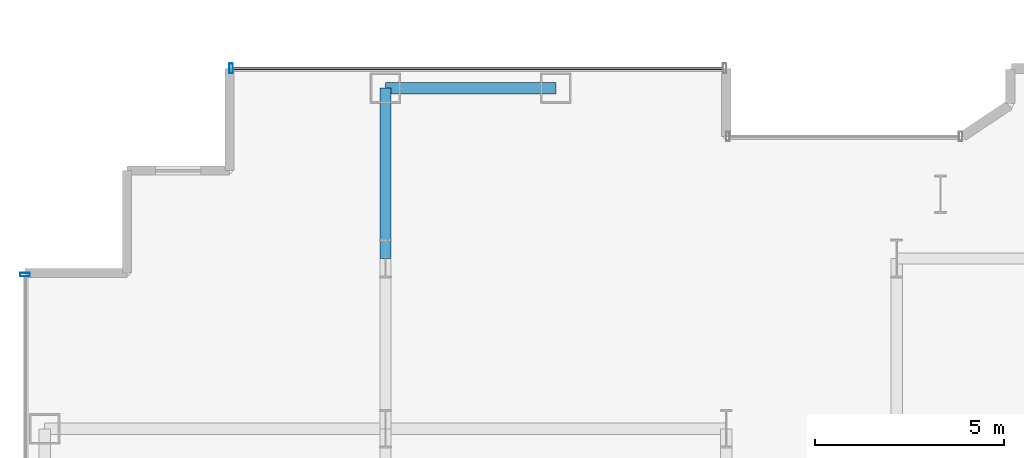
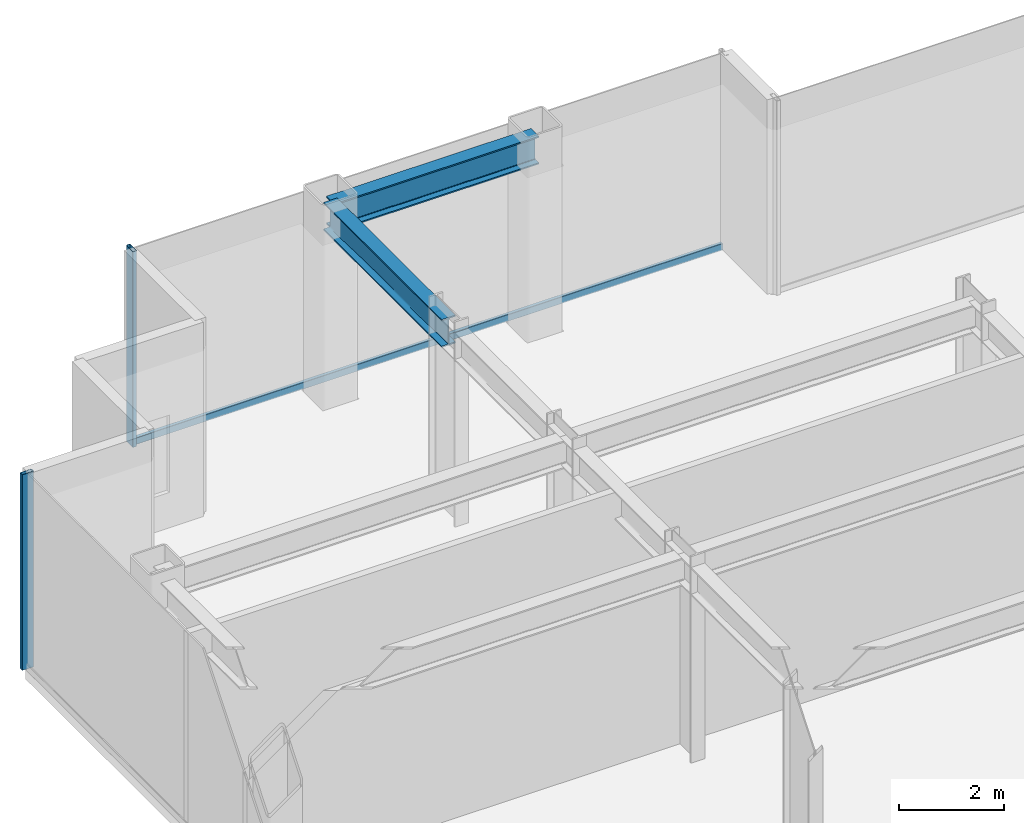
# One storey, part 9 of 27: 3 members, 2 beams, 2 elements without a shape of their own.
"""IFC4 building model written with IfcOpenShell, lengths in metres."""

from ifc_helpers import new_model, si_unit, direction, frame, origin, origin_2d, place, context, subcontext, project, spatial, hollow_rectangle, i_section, extrude, source, transform, mapped, material, layer, layer_set, material_profile, profile_set, type_object, element, aggregate, save


model = new_model("IFC4")

# Units and contexts
model_context = context("Model", 3, precision=1e-05, world=origin(), true_north=direction((0.0, 1.0)))
body_context = subcontext(model_context, "Body", "Model", "MODEL_VIEW")
ifc_project = project(units=[si_unit("LENGTHUNIT", "METRE"), si_unit("AREAUNIT", "SQUARE_METRE"), si_unit("VOLUMEUNIT", "CUBIC_METRE"), si_unit("PLANEANGLEUNIT", "RADIAN"), si_unit("MASSUNIT", "GRAM", prefix="KILO")], contexts=[model_context])

# Site, building, storey
site_placement = place(None, origin())
site = spatial("IfcSite", under=ifc_project, at=site_placement, CompositionType="ELEMENT")
building_placement = place(site_placement, origin())
building = spatial("IfcBuilding", under=site, at=building_placement, Name="Nefas-Gora Pilgrimage Tower", CompositionType="ELEMENT")
storey_placement = place(building_placement, frame((0.0, 0.0, 144.0)))
storey = spatial("IfcBuildingStorey", under=building, at=storey_placement, Name="L35", CompositionType="ELEMENT", Elevation=144.0)

# Beams
ifc_material_1 = material(Name="Steel S355", Category="steel")
ifc_material_profile_1 = material_profile(ifc_material_1, i_section(OverallWidth=0.300048828125, OverallDepth=0.64990234375, WebThickness=0.01611328125, FlangeThickness=0.031005859375, FilletRadius=0.027099609375, at=origin_2d()), Name="HEB 650")
ifc_profile_set_1 = profile_set([ifc_material_profile_1], Name="Steel S355")
beam_type_1 = type_object("IfcBeamType", Name="BM-SPN-HEB500", PredefinedType="SPANDREL", material=ifc_profile_set_1)
shared_shape_1 = source(origin(), body_context, "Body", "SweptSolid", [
    extrude(i_section(OverallWidth=0.300048828125, OverallDepth=0.64990234375, WebThickness=0.01611328125, FlangeThickness=0.031005859375, FilletRadius=0.027099609375, at=origin_2d()), origin(), (0.0, 0.0, 1.0), 4.5),
])
beam_1_placement = place(storey_placement, frame((-24.75, 22.5, 4.22509765625), z_axis=(1.0, 0.0, 0.0), x_axis=(0.0, 1.0, 0.0)))
element("IfcBeam", 1, at=beam_1_placement, inside=storey, type_object=beam_type_1, Name="L35 SP-02 beam", PredefinedType="SPANDREL", context=body_context, shape_type="MappedRepresentation", body=[
    mapped(shared_shape_1, transform((0.0, 0.0, 0.0), x_axis=(1.0, 0.0, 0.0), y_axis=(0.0, 1.0, 0.0), z_axis=(0.0, 0.0, 1.0), scale=1.0)),
])
ifc_material_profile_2 = material_profile(ifc_material_1, i_section(OverallWidth=0.300048828125, OverallDepth=0.64990234375, WebThickness=0.01611328125, FlangeThickness=0.031005859375, FilletRadius=0.027099609375, at=origin_2d()), Name="HEB 650")
ifc_profile_set_2 = profile_set([ifc_material_profile_2], Name="Steel S355")
beam_type_2 = type_object("IfcBeamType", Name="BM-GIR-HEB650", PredefinedType="BEAM", material=ifc_profile_set_2)
shared_shape_2 = source(origin(), body_context, "Body", "SweptSolid", [
    extrude(i_section(OverallWidth=0.300048828125, OverallDepth=0.64990234375, WebThickness=0.01611328125, FlangeThickness=0.031005859375, FilletRadius=0.027099609375, at=origin_2d()), origin(), (0.0, 0.0, 1.0), 4.5),
])
beam_2_placement = place(storey_placement, frame((-24.75, 18.0, 4.22509765625), z_axis=(0.0, 1.0, 0.0), x_axis=(-1.0, 0.0, 0.0)))
element("IfcBeam", 2, at=beam_2_placement, inside=storey, type_object=beam_type_2, Name="L35 G-03 beam", PredefinedType="BEAM", context=body_context, shape_type="MappedRepresentation", body=[
    mapped(shared_shape_2, transform((0.0, 0.0, 0.0), x_axis=(1.0, 0.0, 0.0), y_axis=(0.0, 1.0, 0.0), z_axis=(0.0, 0.0, 1.0), scale=1.0)),
])

# Curtain wall, members
ifc_material_2 = material(Name="Dark ceramic-fritted solar-control aluminium-glass curtain wall", Category="aluminium")
ifc_layer = layer(ifc_material_2, 0.219970703125)
ifc_layer_set = layer_set([ifc_layer], Name="Dark ceramic-fritted solar-control aluminium-glass curtain wall")
curtain_wall_type = type_object("IfcCurtainWallType", Name="CW-SYS-2", PredefinedType="NOTDEFINED", material=ifc_layer_set)
curtain_wall_1_placement = place(storey_placement, origin())
curtain_wall_1 = element("IfcCurtainWall", 3, at=curtain_wall_1_placement, inside=storey, type_object=curtain_wall_type, Name="L35 Unitised Curtain Wall CW2", PredefinedType="NOTDEFINED")
ifc_material_3 = material(Name="Anodised architectural aluminium", Category="aluminium")
ifc_material_profile_3 = material_profile(ifc_material_3, hollow_rectangle(XDim=0.080078125, YDim=0.159912109375, WallThickness=0.00439453125, InnerFilletRadius=0.00439453125, OuterFilletRadius=0.009033203125, at=origin_2d()), Name="ALU TRANSOM 80x160")
ifc_profile_set_3 = profile_set([ifc_material_profile_3], Name="Anodised architectural aluminium")
member_type_1 = type_object("IfcMemberType", Name="CWM-TRN-2", PredefinedType="USERDEFINED", material=ifc_profile_set_3)
shared_shape_3 = source(origin(), body_context, "Body", "SweptSolid", [
    extrude(hollow_rectangle(XDim=0.080078125, YDim=0.159912109375, WallThickness=0.00439453125, InnerFilletRadius=0.00439453125, OuterFilletRadius=0.009033203125, at=origin_2d()), origin(), (0.0, 0.0, 1.0), 12.93994140625),
])
member_1_placement = place(storey_placement, frame((-15.840087890625, 23.02001953125, 0.050048828125), z_axis=(-1.0, 0.0, 0.0), x_axis=(0.0, -1.0, 0.0)))
member_1 = element("IfcMember", 4, at=member_1_placement, type_object=member_type_1, Name="CW2 Spandrel Transom", ObjectType="TRANSOM", PredefinedType="USERDEFINED", context=body_context, shape_type="MappedRepresentation", body=[
    mapped(shared_shape_3, transform((0.0, 0.0, 0.0), x_axis=(1.0, 0.0, 0.0), y_axis=(0.0, 1.0, 0.0), z_axis=(0.0, 0.0, 1.0), scale=1.0)),
])
ifc_material_profile_4 = material_profile(ifc_material_3, hollow_rectangle(XDim=0.090087890625, YDim=0.260009765625, WallThickness=0.006103515625, InnerFilletRadius=0.006103515625, OuterFilletRadius=0.011962890625, at=origin_2d()), Name="ALU MULLION 90x260")
ifc_profile_set_4 = profile_set([ifc_material_profile_4], Name="Anodised architectural aluminium")
member_type_2 = type_object("IfcMemberType", Name="CWM-MUL-2", PredefinedType="MULLION", material=ifc_profile_set_4)
shared_shape_4 = source(origin(), body_context, "Body", "SweptSolid", [
    extrude(hollow_rectangle(XDim=0.090087890625, YDim=0.260009765625, WallThickness=0.006103515625, InnerFilletRadius=0.006103515625, OuterFilletRadius=0.011962890625, at=origin_2d()), origin(), (0.0, 0.0, 1.0), 4.550048828125),
])
member_2_placement = place(storey_placement, frame((-28.824951171875, 23.02001953125, 0.0), z_axis=(0.0, 0.0, 1.0), x_axis=(-1.0, 0.0, 0.0)))
member_2 = element("IfcMember", 5, at=member_2_placement, type_object=member_type_2, Name="CW2 Mullion 2", PredefinedType="MULLION", context=body_context, shape_type="MappedRepresentation", body=[
    mapped(shared_shape_4, transform((0.0, 0.0, 0.0), x_axis=(1.0, 0.0, 0.0), y_axis=(0.0, 1.0, 0.0), z_axis=(0.0, 0.0, 1.0), scale=1.0)),
])
aggregate(curtain_wall_1, [member_2, member_1])

# Curtain wall, member
curtain_wall_2_placement = place(storey_placement, origin())
curtain_wall_2 = element("IfcCurtainWall", 6, at=curtain_wall_2_placement, inside=storey, type_object=curtain_wall_type, Name="L35 Unitised Curtain Wall CW2", PredefinedType="NOTDEFINED")
member_3_placement = place(storey_placement, frame((-34.27001953125, 17.574951171875, 0.0), z_axis=(0.0, 0.0, 1.0), x_axis=(0.0, -1.0, 0.0)))
member_3 = element("IfcMember", 7, at=member_3_placement, type_object=member_type_2, Name="CW2 Mullion 1", PredefinedType="MULLION", context=body_context, shape_type="MappedRepresentation", body=[
    mapped(shared_shape_4, transform((0.0, 0.0, 0.0), x_axis=(1.0, 0.0, 0.0), y_axis=(0.0, 1.0, 0.0), z_axis=(0.0, 0.0, 1.0), scale=1.0)),
])
aggregate(curtain_wall_2, [member_3])

save(model, "model.ifc")
